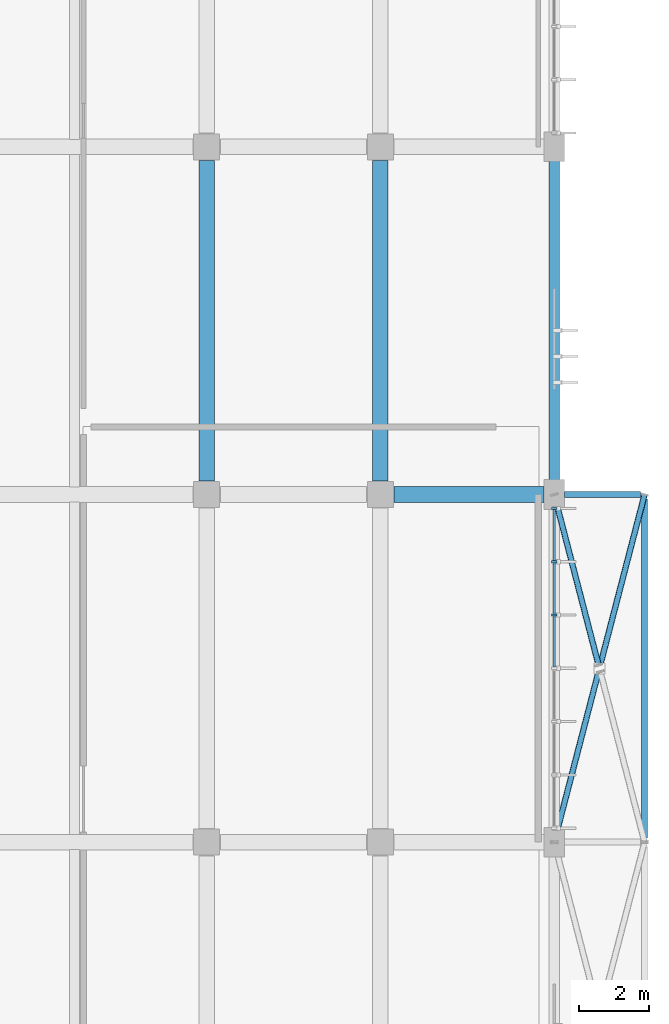
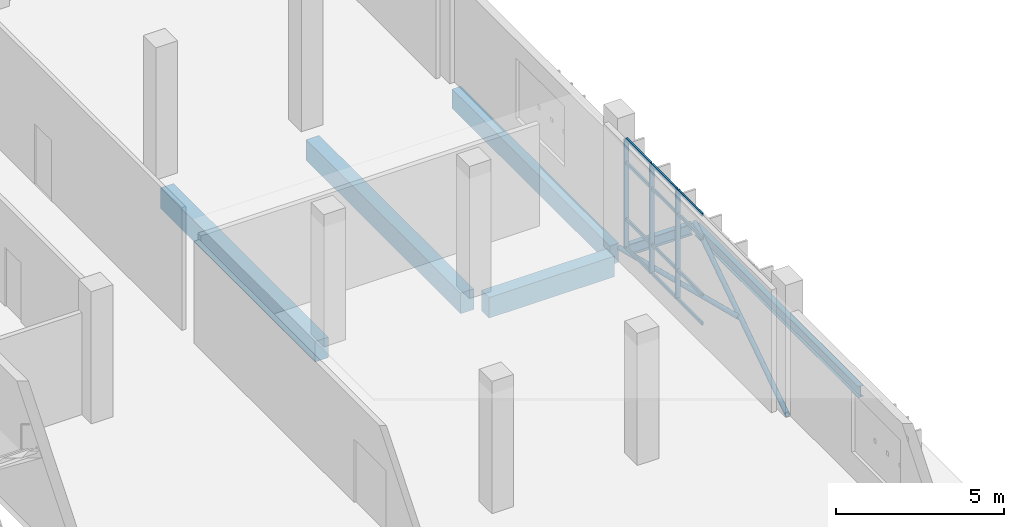
# One storey, part 75 of 179: 17 members, 6 beams, 1 element without a shape of its own.
"""IFC4 building model written with IfcOpenShell, lengths in metres."""

from ifc_helpers import new_model, si_unit, direction, frame, origin, origin_2d, place, context, subcontext, project, spatial, rectangle, hollow_circle, i_section, extrude, material, layer, layer_set, material_profile, profile_set, type_object, element, aggregate, save


model = new_model("IFC4")

# Units and contexts
model_context = context("Model", 3, precision=1e-05, world=origin(), true_north=direction((0.0, 1.0)))
body_context = subcontext(model_context, "Body", "Model", "MODEL_VIEW")
ifc_project = project(units=[si_unit("LENGTHUNIT", "METRE"), si_unit("AREAUNIT", "SQUARE_METRE"), si_unit("VOLUMEUNIT", "CUBIC_METRE"), si_unit("PLANEANGLEUNIT", "RADIAN"), si_unit("MASSUNIT", "GRAM", prefix="KILO")], contexts=[model_context])

# Site, building, storey
site_placement = place(None, origin())
site = spatial("IfcSite", under=ifc_project, at=site_placement, CompositionType="ELEMENT")
building_placement = place(site_placement, origin())
building = spatial("IfcBuilding", under=site, at=building_placement, Name="Corvandel Quay Wholesale Market", CompositionType="ELEMENT")
storey_placement = place(building_placement, frame((0.0, 0.0, 6.0)))
storey = spatial("IfcBuildingStorey", under=building, at=storey_placement, Name="L01", CompositionType="ELEMENT", Elevation=6.0)

# Beams
ifc_material_1 = material(Name="Steel A992 Grade 50", Category="steel")
ifc_material_profile_1 = material_profile(ifc_material_1, i_section(OverallWidth=0.177978515625, OverallDepth=0.406005859375, WebThickness=0.0078125, FlangeThickness=0.0126953125, at=origin_2d()), Name="W16X40")
ifc_profile_set_1 = profile_set([ifc_material_profile_1], Name="Steel A992 Grade 50")
beam_type_1 = type_object("IfcBeamType", Name="Canopy Steel Edge Beam SB01 W16X40", PredefinedType="BEAM", material=ifc_profile_set_1)
beam_1_placement = place(storey_placement, frame((248.294921875, 70.0, -0.403076171875), z_axis=(1.0, 0.0, 0.0), x_axis=(0.0, 1.0, 0.0)))
element("IfcBeam", 1, at=beam_1_placement, inside=storey, type_object=beam_type_1, Name="Beam BM-1757", PredefinedType="BEAM", context=body_context, shape_type="SweptSolid", body=[
    extrude(i_section(OverallWidth=0.177978515625, OverallDepth=0.406005859375, WebThickness=0.0078125, FlangeThickness=0.0126953125, at=origin_2d()), origin(), (0.0, 0.0, 1.0), 2.1826171875),
])
beam_2_placement = place(storey_placement, frame((250.60009765625, 60.12255859375, -0.403076171875), z_axis=(0.0, 1.0, 0.0), x_axis=(-1.0, 0.0, 0.0)))
element("IfcBeam", 2, at=beam_2_placement, inside=storey, type_object=beam_type_1, Name="Beam BM-1760", PredefinedType="BEAM", context=body_context, shape_type="SweptSolid", body=[
    extrude(i_section(OverallWidth=0.177978515625, OverallDepth=0.406005859375, WebThickness=0.0078125, FlangeThickness=0.0126953125, at=origin_2d()), origin(), (0.0, 0.0, 1.0), 9.7548828125),
])

# Curtain wall, members
ifc_material_2 = material(Name="Bronze anodised aluminium and low-E insulated glazing", Category="aluminium")
ifc_layer = layer(ifc_material_2, 0.18603515625)
ifc_layer_set = layer_set([ifc_layer], Name="Bronze anodised aluminium and low-E insulated glazing")
curtain_wall_type = type_object("IfcCurtainWallType", Name="Stick Curtain Wall System CW18 H4620", PredefinedType="NOTDEFINED", material=ifc_layer_set)
curtain_wall_placement = place(storey_placement, origin())
curtain_wall = element("IfcCurtainWall", 3, at=curtain_wall_placement, inside=storey, type_object=curtain_wall_type, Name="Curtain Wall CW-0153", PredefinedType="NOTDEFINED")
ifc_material_3 = material(Name="Anodised aluminium 6063-T6", Category="aluminium")
ifc_material_profile_2 = material_profile(ifc_material_3, rectangle(XDim=0.06494140625, YDim=0.14990234375, at=origin_2d()), Name="ALU-MUL-65x150")
ifc_profile_set_2 = profile_set([ifc_material_profile_2], Name="Anodised aluminium 6063-T6")
member_type_1 = type_object("IfcMemberType", Name="Curtain Wall Mullion ML02 65x150", PredefinedType="MULLION", material=ifc_profile_set_2)
member_1_placement = place(storey_placement, frame((248.0, 66.533203125, 0.0), z_axis=(0.0, 0.0, 1.0), x_axis=(0.0, 1.0, 0.0)))
member_1 = element("IfcMember", 4, at=member_1_placement, type_object=member_type_1, Name="Mullion CW-0153-M04", PredefinedType="MULLION", context=body_context, shape_type="SweptSolid", body=[
    extrude(rectangle(XDim=0.06494140625, YDim=0.14990234375, at=origin_2d()), origin(), (0.0, 0.0, 1.0), 3.949951171875),
])
member_2_placement = place(storey_placement, frame((248.0, 68.066650390625, 0.0), z_axis=(0.0, 0.0, 1.0), x_axis=(0.0, 1.0, 0.0)))
member_2 = element("IfcMember", 5, at=member_2_placement, type_object=member_type_1, Name="Mullion CW-0153-M05", PredefinedType="MULLION", context=body_context, shape_type="SweptSolid", body=[
    extrude(rectangle(XDim=0.06494140625, YDim=0.14990234375, at=origin_2d()), origin(), (0.0, 0.0, 1.0), 3.949951171875),
])
member_3_placement = place(storey_placement, frame((248.0, 69.60009765625, 0.0), z_axis=(0.0, 0.0, 1.0), x_axis=(0.0, 1.0, 0.0)))
member_3 = element("IfcMember", 6, at=member_3_placement, type_object=member_type_1, Name="Mullion CW-0153-M06", PredefinedType="MULLION", context=body_context, shape_type="SweptSolid", body=[
    extrude(rectangle(XDim=0.06494140625, YDim=0.14990234375, at=origin_2d()), origin(), (0.0, 0.0, 1.0), 3.949951171875),
])
ifc_material_profile_3 = material_profile(ifc_material_3, rectangle(XDim=0.06005859375, YDim=0.110107421875, at=origin_2d()), Name="ALU-TRN-60x110")
ifc_profile_set_3 = profile_set([ifc_material_profile_3], Name="Anodised aluminium 6063-T6")
member_type_2 = type_object("IfcMemberType", Name="Curtain Wall Transom TR02 60x110", PredefinedType="USERDEFINED", material=ifc_profile_set_3)
member_4_placement = place(storey_placement, frame((248.0, 65.032470703125, 0.0), z_axis=(0.0, 1.0, 0.0), x_axis=(-1.0, 0.0, 0.0)))
member_4 = element("IfcMember", 7, at=member_4_placement, type_object=member_type_2, Name="Transom CW-0153-T03-0", ObjectType="TRANSOM", PredefinedType="USERDEFINED", context=body_context, shape_type="SweptSolid", body=[
    extrude(rectangle(XDim=0.06005859375, YDim=0.110107421875, at=origin_2d()), origin(), (0.0, 0.0, 1.0), 1.46826171875),
])
member_5_placement = place(storey_placement, frame((248.0, 65.032470703125, 1.050048828125), z_axis=(0.0, 1.0, 0.0), x_axis=(-1.0, 0.0, 0.0)))
member_5 = element("IfcMember", 8, at=member_5_placement, type_object=member_type_2, Name="Transom CW-0153-T03-1", ObjectType="TRANSOM", PredefinedType="USERDEFINED", context=body_context, shape_type="SweptSolid", body=[
    extrude(rectangle(XDim=0.06005859375, YDim=0.110107421875, at=origin_2d()), origin(), (0.0, 0.0, 1.0), 1.46826171875),
])
member_6_placement = place(storey_placement, frame((248.0, 65.032470703125, 3.10009765625), z_axis=(0.0, 1.0, 0.0), x_axis=(-1.0, 0.0, 0.0)))
member_6 = element("IfcMember", 9, at=member_6_placement, type_object=member_type_2, Name="Transom CW-0153-T03-2", ObjectType="TRANSOM", PredefinedType="USERDEFINED", context=body_context, shape_type="SweptSolid", body=[
    extrude(rectangle(XDim=0.06005859375, YDim=0.110107421875, at=origin_2d()), origin(), (0.0, 0.0, 1.0), 1.46826171875),
])
member_7_placement = place(storey_placement, frame((248.0, 65.032470703125, 3.949951171875), z_axis=(0.0, 1.0, 0.0), x_axis=(-1.0, 0.0, 0.0)))
member_7 = element("IfcMember", 10, at=member_7_placement, type_object=member_type_2, Name="Transom CW-0153-T03-3", ObjectType="TRANSOM", PredefinedType="USERDEFINED", context=body_context, shape_type="SweptSolid", body=[
    extrude(rectangle(XDim=0.06005859375, YDim=0.110107421875, at=origin_2d()), origin(), (0.0, 0.0, 1.0), 1.46826171875),
])
member_8_placement = place(storey_placement, frame((248.0, 66.56591796875, 0.0), z_axis=(0.0, 1.0, 0.0), x_axis=(-1.0, 0.0, 0.0)))
member_8 = element("IfcMember", 11, at=member_8_placement, type_object=member_type_2, Name="Transom CW-0153-T04-0", ObjectType="TRANSOM", PredefinedType="USERDEFINED", context=body_context, shape_type="SweptSolid", body=[
    extrude(rectangle(XDim=0.06005859375, YDim=0.110107421875, at=origin_2d()), origin(), (0.0, 0.0, 1.0), 1.46826171875),
])
member_9_placement = place(storey_placement, frame((248.0, 66.56591796875, 1.050048828125), z_axis=(0.0, 1.0, 0.0), x_axis=(-1.0, 0.0, 0.0)))
member_9 = element("IfcMember", 12, at=member_9_placement, type_object=member_type_2, Name="Transom CW-0153-T04-1", ObjectType="TRANSOM", PredefinedType="USERDEFINED", context=body_context, shape_type="SweptSolid", body=[
    extrude(rectangle(XDim=0.06005859375, YDim=0.110107421875, at=origin_2d()), origin(), (0.0, 0.0, 1.0), 1.46826171875),
])
member_10_placement = place(storey_placement, frame((248.0, 66.56591796875, 3.10009765625), z_axis=(0.0, 1.0, 0.0), x_axis=(-1.0, 0.0, 0.0)))
member_10 = element("IfcMember", 13, at=member_10_placement, type_object=member_type_2, Name="Transom CW-0153-T04-2", ObjectType="TRANSOM", PredefinedType="USERDEFINED", context=body_context, shape_type="SweptSolid", body=[
    extrude(rectangle(XDim=0.06005859375, YDim=0.110107421875, at=origin_2d()), origin(), (0.0, 0.0, 1.0), 1.46826171875),
])
member_11_placement = place(storey_placement, frame((248.0, 66.56591796875, 3.949951171875), z_axis=(0.0, 1.0, 0.0), x_axis=(-1.0, 0.0, 0.0)))
member_11 = element("IfcMember", 14, at=member_11_placement, type_object=member_type_2, Name="Transom CW-0153-T04-3", ObjectType="TRANSOM", PredefinedType="USERDEFINED", context=body_context, shape_type="SweptSolid", body=[
    extrude(rectangle(XDim=0.06005859375, YDim=0.110107421875, at=origin_2d()), origin(), (0.0, 0.0, 1.0), 1.46826171875),
])
member_12_placement = place(storey_placement, frame((248.0, 68.09912109375, 0.0), z_axis=(0.0, 1.0, 0.0), x_axis=(-1.0, 0.0, 0.0)))
member_12 = element("IfcMember", 15, at=member_12_placement, type_object=member_type_2, Name="Transom CW-0153-T05-0", ObjectType="TRANSOM", PredefinedType="USERDEFINED", context=body_context, shape_type="SweptSolid", body=[
    extrude(rectangle(XDim=0.06005859375, YDim=0.110107421875, at=origin_2d()), origin(), (0.0, 0.0, 1.0), 1.46826171875),
])
member_13_placement = place(storey_placement, frame((248.0, 68.09912109375, 1.050048828125), z_axis=(0.0, 1.0, 0.0), x_axis=(-1.0, 0.0, 0.0)))
member_13 = element("IfcMember", 16, at=member_13_placement, type_object=member_type_2, Name="Transom CW-0153-T05-1", ObjectType="TRANSOM", PredefinedType="USERDEFINED", context=body_context, shape_type="SweptSolid", body=[
    extrude(rectangle(XDim=0.06005859375, YDim=0.110107421875, at=origin_2d()), origin(), (0.0, 0.0, 1.0), 1.46826171875),
])
member_14_placement = place(storey_placement, frame((248.0, 68.09912109375, 3.10009765625), z_axis=(0.0, 1.0, 0.0), x_axis=(-1.0, 0.0, 0.0)))
member_14 = element("IfcMember", 17, at=member_14_placement, type_object=member_type_2, Name="Transom CW-0153-T05-2", ObjectType="TRANSOM", PredefinedType="USERDEFINED", context=body_context, shape_type="SweptSolid", body=[
    extrude(rectangle(XDim=0.06005859375, YDim=0.110107421875, at=origin_2d()), origin(), (0.0, 0.0, 1.0), 1.46826171875),
])
member_15_placement = place(storey_placement, frame((248.0, 68.09912109375, 3.949951171875), z_axis=(0.0, 1.0, 0.0), x_axis=(-1.0, 0.0, 0.0)))
member_15 = element("IfcMember", 18, at=member_15_placement, type_object=member_type_2, Name="Transom CW-0153-T05-3", ObjectType="TRANSOM", PredefinedType="USERDEFINED", context=body_context, shape_type="SweptSolid", body=[
    extrude(rectangle(XDim=0.06005859375, YDim=0.110107421875, at=origin_2d()), origin(), (0.0, 0.0, 1.0), 1.46826171875),
])
aggregate(curtain_wall, [member_1, member_2, member_3, member_4, member_5, member_6, member_7, member_8, member_9, member_10, member_11, member_12, member_13, member_14, member_15])

# Members
ifc_material_4 = material(Name="Steel A500 Grade C", Category="steel")
ifc_material_profile_4 = material_profile(ifc_material_4, hollow_circle(Radius=0.083984375, WallThickness=0.00732421875, at=origin_2d()), Name="HSS6.625X0.312")
ifc_profile_set_4 = profile_set([ifc_material_profile_4], Name="Steel A500 Grade C")
member_type_3 = type_object("IfcMemberType", Name="Roof Diaphragm Wind Brace BR06 CHS168", PredefinedType="BRACE", material=ifc_profile_set_4)
member_16_placement = place(storey_placement, frame((248.0, 60.0, -0.25), z_axis=(0.251642704667, 0.967820204991, 0.0), x_axis=(-0.967820204991, 0.251642704667, 0.0)))
element("IfcMember", 19, at=member_16_placement, inside=storey, type_object=member_type_3, Name="Member MEM-0125", PredefinedType="BRACE", context=body_context, shape_type="SweptSolid", body=[
    extrude(hollow_circle(Radius=0.083984375, WallThickness=0.00732421875, at=origin_2d()), origin(), (0.0, 0.0, 1.0), 10.33251953125),
])
member_17_placement = place(storey_placement, frame((249.276123046875, 65.091796875, -0.25), z_axis=(-0.251632048062, 0.967822975749, 0.0), x_axis=(-0.967822975749, -0.251632048062, 0.0)))
element("IfcMember", 20, at=member_17_placement, inside=storey, type_object=member_type_3, Name="Member MEM-0126B", PredefinedType="BRACE", context=body_context, shape_type="SweptSolid", body=[
    extrude(hollow_circle(Radius=0.083984375, WallThickness=0.00732421875, at=origin_2d()), origin(), (0.0, 0.0, 1.0), 5.0712890625),
])

# Beams
ifc_material_5 = material(Name="Precast concrete C45/55", Category="concrete")
ifc_material_profile_5 = material_profile(ifc_material_5, rectangle(XDim=0.300048828125, YDim=0.699951171875, at=origin_2d()), Name="PC-SPN-300x700")
ifc_profile_set_5 = profile_set([ifc_material_profile_5], Name="Precast concrete C45/55")
beam_type_2 = type_object("IfcBeamType", Name="Terrace Edge Spandrel SP03 300x700", PredefinedType="SPANDREL", material=ifc_profile_set_5)
beam_3_placement = place(storey_placement, frame((248.0, 70.294921875, -0.669921875), z_axis=(0.0, 1.0, 0.0), x_axis=(-1.0, 0.0, 0.0)))
element("IfcBeam", 21, at=beam_3_placement, inside=storey, type_object=beam_type_2, Name="Beam BM-1485", PredefinedType="SPANDREL", context=body_context, shape_type="SweptSolid", body=[
    extrude(rectangle(XDim=0.300048828125, YDim=0.699951171875, at=origin_2d()), origin(), (0.0, 0.0, 1.0), 9.41015625),
])
ifc_material_profile_6 = material_profile(ifc_material_5, rectangle(XDim=0.449951171875, YDim=0.75, at=origin_2d()), Name="PC-GIR-450x750")
ifc_profile_set_6 = profile_set([ifc_material_profile_6], Name="Precast concrete C45/55")
beam_type_3 = type_object("IfcBeamType", Name="Waterfront Office Girder G06 450x750", PredefinedType="USERDEFINED", material=ifc_profile_set_6)
beam_4_placement = place(storey_placement, frame((243.39501953125, 70.0, -0.695068359375), z_axis=(1.0, 0.0, 0.0), x_axis=(0.0, 1.0, 0.0)))
element("IfcBeam", 22, at=beam_4_placement, inside=storey, type_object=beam_type_3, Name="Beam BM-1422", ObjectType="GIRDER", PredefinedType="USERDEFINED", context=body_context, shape_type="SweptSolid", body=[
    extrude(rectangle(XDim=0.449951171875, YDim=0.75, at=origin_2d()), origin(), (0.0, 0.0, 1.0), 4.31005859375),
])
for number, where, z_axis, x_axis, name in (
    (23, (238.0, 70.39501953125, -0.695068359375), (0.0, 1.0, 0.0), (-1.0, 0.0, 0.0), "Beam BM-1465"),
    (24, (243.0, 70.39501953125, -0.695068359375), (0.0, 1.0, 0.0), (-1.0, 0.0, 0.0), "Beam BM-1475"),
):
    element("IfcBeam", number, at=place(storey_placement, frame(where, z_axis=z_axis, x_axis=x_axis)), inside=storey, type_object=beam_type_3, Name=name, ObjectType="GIRDER", PredefinedType="USERDEFINED", context=body_context, shape_type="SweptSolid", body=[
        extrude(rectangle(XDim=0.449951171875, YDim=0.75, at=origin_2d()), origin(), (0.0, 0.0, 1.0), 9.2099609375),
    ])

save(model, "model.ifc")
